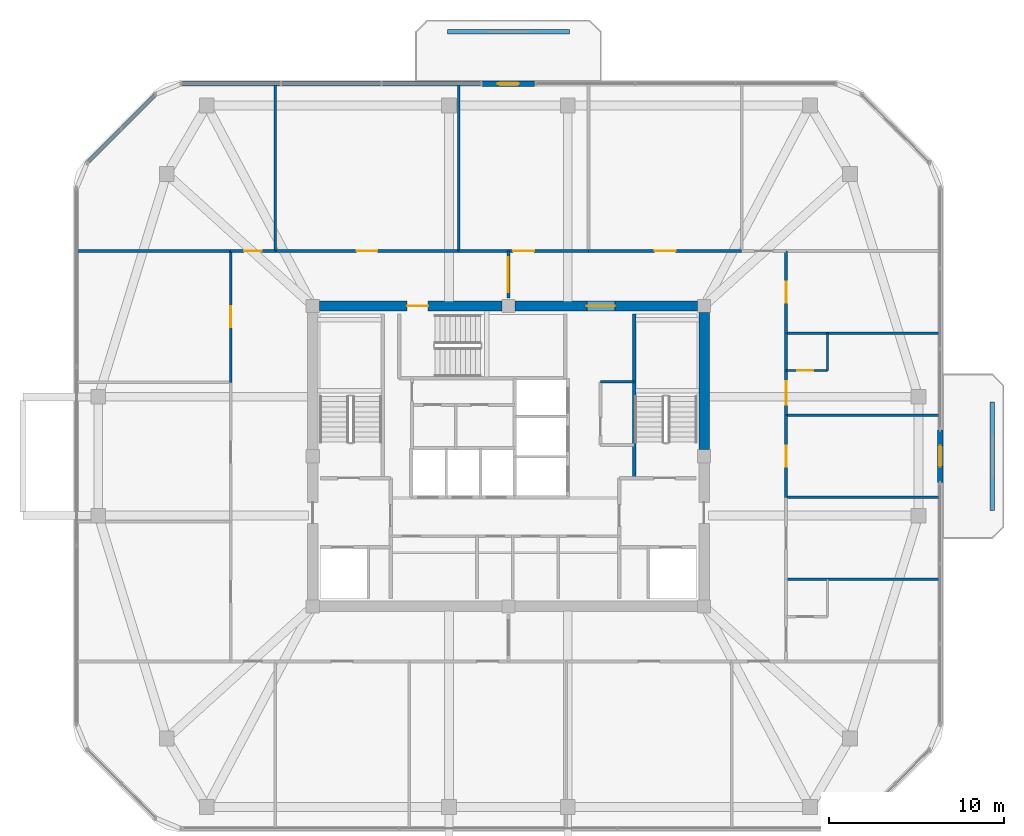
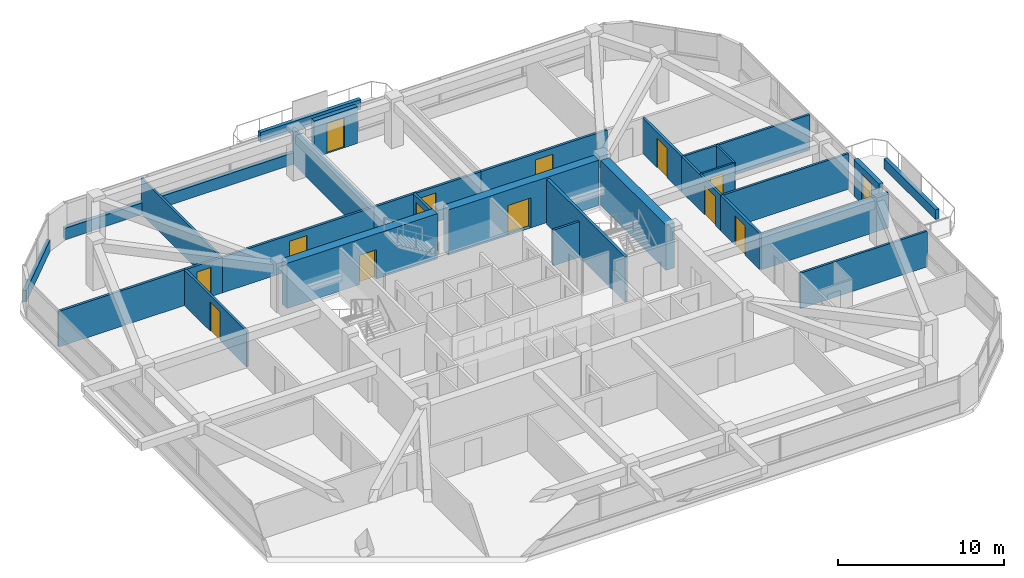
# One storey, part 11 of 14: 29 walls, 14 doors, 14 openings.
"""IFC4 building model written with IfcOpenShell, lengths in metres."""

from ifc_helpers import new_model, si_unit, derived_unit, direction, frame, frame_2d, origin, place, context, subcontext, project, spatial, rectangle, extrude, material, layer, layer_set, type_object, element, fill, save


model = new_model("IFC4")

# Units and contexts
model_context = context("Model", 3, precision=1e-05, world=origin(), true_north=direction((0.0, 1.0)))
body_context = subcontext(model_context, "Body", "Model", "MODEL_VIEW")
ifc_project = project(units=[si_unit("LENGTHUNIT", "METRE"), si_unit("AREAUNIT", "SQUARE_METRE"), si_unit("VOLUMEUNIT", "CUBIC_METRE"), si_unit("PLANEANGLEUNIT", "RADIAN"), si_unit("MASSUNIT", "GRAM", prefix="KILO"), derived_unit("THERMALTRANSMITTANCEUNIT", [(si_unit("POWERUNIT", "WATT"), 1), (si_unit("LENGTHUNIT", "METRE"), -2), (si_unit("THERMODYNAMICTEMPERATUREUNIT", "KELVIN"), -1)])], contexts=[model_context])

# Site, building, storey
site_placement = place(None, origin())
site = spatial("IfcSite", under=ifc_project, at=site_placement, CompositionType="ELEMENT")
building_placement = place(site_placement, origin())
building = spatial("IfcBuilding", under=site, at=building_placement, Name="Koralith Skygarden Medical Center", CompositionType="ELEMENT")
storey_placement = place(building_placement, frame((0.0, 0.0, 260.820068359375)))
storey = spatial("IfcBuildingStorey", under=building, at=storey_placement, Name="L67", CompositionType="ELEMENT", Elevation=260.820068359375)

# Walls
ifc_material_1 = material(Name="Gypsum Board Partition")
ifc_layer_1 = layer(ifc_material_1, 0.14990234375)
ifc_layer_set_1 = layer_set([ifc_layer_1], Name="Gypsum Board Partition")
wall_type_1 = type_object("IfcWallType", Name="Clinical Acoustic Partition 150", PredefinedType="PARTITIONING", material=ifc_layer_set_1)
wall_1_placement = place(storey_placement, frame((42.27001953125, 30.159912109375, 0.0), z_axis=(0.0, 0.0, 1.0), x_axis=(1.0, 0.0, 0.0)))
element("IfcWall", 1, at=wall_1_placement, inside=storey, type_object=wall_type_1, Name="L67 Clinical Acoustic Partition 150 W-CORE-L67-ESUB-N", PredefinedType="PARTITIONING", context=body_context, shape_type="SweptSolid", body=[
    extrude(rectangle(XDim=1.929931640625, YDim=0.14990234375, at=frame_2d((0.96484375, 0.0))), origin(), (0.0, 0.0, 1.0), 2.60986328125),
])
for number, where, z_axis, x_axis, name in (
    (2, (23.64990234375, 37.64990234375, 0.0), (0.0, 0.0, 1.0), (0.0, 1.0, 0.0), "L67 Clinical Acoustic Partition 150 W-PART-L67-N-01"),
    (3, (34.157958984375, 37.64990234375, 0.0), (0.0, 0.0, 1.0), (0.0, 1.0, 0.0), "L67 Clinical Acoustic Partition 150 W-PART-L67-N-02"),
):
    element("IfcWall", number, at=place(storey_placement, frame(where, z_axis=z_axis, x_axis=x_axis)), inside=storey, type_object=wall_type_1, Name=name, PredefinedType="PARTITIONING", context=body_context, shape_type="SweptSolid", body=[
        extrude(rectangle(XDim=9.550048828125, YDim=0.14990234375, at=frame_2d((4.77490234375, 0.0))), origin(), (0.0, 0.0, 1.0), 2.60986328125),
    ])
for number, where, z_axis, x_axis, name in (
    (4, (52.89990234375, 18.85009765625, 0.0), (0.0, 0.0, 1.0), (1.0, 0.0, 0.0), "L67 Clinical Acoustic Partition 150 W-PART-L67-E-01"),
    (5, (52.89990234375, 23.550048828125, 0.0), (0.0, 0.0, 1.0), (1.0, 0.0, 0.0), "L67 Clinical Acoustic Partition 150 W-PART-L67-E-02"),
    (6, (52.89990234375, 28.25, 0.0), (0.0, 0.0, 1.0), (1.0, 0.0, 0.0), "L67 Clinical Acoustic Partition 150 W-PART-L67-E-03"),
    (7, (52.89990234375, 32.949951171875, 0.0), (0.0, 0.0, 1.0), (1.0, 0.0, 0.0), "L67 Clinical Acoustic Partition 150 W-PART-L67-E-04"),
):
    element("IfcWall", number, at=place(storey_placement, frame(where, z_axis=z_axis, x_axis=x_axis)), inside=storey, type_object=wall_type_1, Name=name, PredefinedType="PARTITIONING", context=body_context, shape_type="SweptSolid", body=[
        extrude(rectangle(XDim=8.800048828125, YDim=0.14990234375, at=frame_2d((4.39990234375, 0.0))), origin(), (0.0, 0.0, 1.0), 2.60986328125),
    ])
ifc_layer_2 = layer(ifc_material_1, 0.1650390625)
ifc_layer_set_2 = layer_set([ifc_layer_2], Name="Gypsum Board Partition")
wall_type_2 = type_object("IfcWallType", Name="Clinical Corridor Partition 165", PredefinedType="PARTITIONING", material=ifc_layer_set_2)
wall_2_placement = place(storey_placement, frame((12.300048828125, 37.64990234375, 0.0), z_axis=(0.0, 0.0, 1.0), x_axis=(1.0, 0.0, 0.0)))
element("IfcWall", 8, at=wall_2_placement, inside=storey, type_object=wall_type_2, Name="L67 Clinical Corridor Partition 165 W-WB-L67-NW", PredefinedType="PARTITIONING", context=body_context, shape_type="SweptSolid", body=[
    extrude(rectangle(XDim=8.800048828125, YDim=0.1650390625, at=frame_2d((4.39990234375, 0.0))), origin(), (0.0, 0.0, 1.0), 2.60986328125),
])

# Wall, opening, door
wall_3_placement = place(storey_placement, frame((21.10009765625, 37.64990234375, 0.0), z_axis=(0.0, 0.0, 1.0), x_axis=(1.0, 0.0, 0.0)))
wall_3 = element("IfcWall", 9, at=wall_3_placement, inside=storey, type_object=wall_type_2, Name="L67 Clinical Corridor Partition 165 W-CORR-L67-N-01", PredefinedType="PARTITIONING", context=body_context, shape_type="SweptSolid", body=[
    extrude(rectangle(XDim=2.5498046875, YDim=0.1650390625, at=frame_2d((1.27490234375, 0.0))), origin(), (0.0, 0.0, 1.0), 2.60986328125),
])
opening_1_placement = place(wall_3_placement, frame((0.77490234375, 0.0, 0.0)))
opening_1 = element("IfcOpeningElement", 10, at=opening_1_placement, cuts=wall_3, Name="Opening D-SUP", PredefinedType="OPENING", context=body_context, shape_type="SweptSolid", body=[
    extrude(rectangle(XDim=1.0, YDim=2.14990234375, at=frame_2d((0.5, 1.074951171875))), frame((0.0, 0.092529296875, 0.0), z_axis=(0.0, -1.0, 0.0), x_axis=(1.0, 0.0, 0.0)), (0.0, 0.0, 1.0), 0.18505859375),
])
ifc_material_2 = material(Name="Aluminium 6063-T6", Category="aluminium")
door_type_1 = type_object("IfcDoorType", Name="Clinical Support Door D-SUP 1000", OperationType="NOTDEFINED", PredefinedType="DOOR", material=ifc_material_2)
door_1_placement = place(opening_1_placement, origin())
door_1 = element("IfcDoor", 11, at=door_1_placement, inside=storey, type_object=door_type_1, Name="L67 Infectious Disease Consult Office 01 Door", OperationType="SINGLE_SWING_RIGHT", OverallHeight=2.14990234375, OverallWidth=1.0, PredefinedType="DOOR", context=body_context, shape_type="SweptSolid", body=[
    extrude(rectangle(XDim=1.0, YDim=2.14990234375, at=frame_2d((0.5, 1.074951171875))), frame((0.0, 0.02490234375, 0.0), z_axis=(0.0, -1.0, 0.0), x_axis=(1.0, 0.0, 0.0)), (0.0, 0.0, 1.0), 0.050048828125),
])
fill(opening_1, door_1)

wall_4_placement = place(storey_placement, frame((23.64990234375, 37.64990234375, 0.0), z_axis=(0.0, 0.0, 1.0), x_axis=(1.0, 0.0, 0.0)))
wall_4 = element("IfcWall", 12, at=wall_4_placement, inside=storey, type_object=wall_type_2, Name="L67 Clinical Corridor Partition 165 W-CORR-L67-N-02", PredefinedType="PARTITIONING", context=body_context, shape_type="SweptSolid", body=[
    extrude(rectangle(XDim=10.508056640625, YDim=0.1650390625, at=frame_2d((5.25390625, 0.0))), origin(), (0.0, 0.0, 1.0), 2.60986328125),
])
opening_2_placement = place(wall_4_placement, frame((4.654052734375, 0.0, 0.0)))
opening_2 = element("IfcOpeningElement", 13, at=opening_2_placement, cuts=wall_4, Name="Opening D-CLN", PredefinedType="OPENING", context=body_context, shape_type="SweptSolid", body=[
    extrude(rectangle(XDim=1.199951171875, YDim=2.14990234375, at=frame_2d((0.60009765625, 1.074951171875))), frame((0.0, 0.092529296875, 0.0), z_axis=(0.0, -1.0, 0.0), x_axis=(1.0, 0.0, 0.0)), (0.0, 0.0, 1.0), 0.18505859375),
])
door_type_2 = type_object("IfcDoorType", Name="Clinical Corridor Door D-CLN 1200", OperationType="NOTDEFINED", PredefinedType="DOOR", material=ifc_material_2)
door_2_placement = place(opening_2_placement, origin())
door_2 = element("IfcDoor", 14, at=door_2_placement, inside=storey, type_object=door_type_2, Name="L67 PPE Isolation Supply Store 02 Door", OperationType="SINGLE_SWING_LEFT", OverallHeight=2.14990234375, OverallWidth=1.199951171875, PredefinedType="DOOR", context=body_context, shape_type="SweptSolid", body=[
    extrude(rectangle(XDim=1.199951171875, YDim=2.14990234375, at=frame_2d((0.60009765625, 1.074951171875))), frame((0.0, 0.02490234375, 0.0), z_axis=(0.0, -1.0, 0.0), x_axis=(1.0, 0.0, 0.0)), (0.0, 0.0, 1.0), 0.050048828125),
])
fill(opening_2, door_2)

wall_5_placement = place(storey_placement, frame((34.157958984375, 37.64990234375, 0.0), z_axis=(0.0, 0.0, 1.0), x_axis=(1.0, 0.0, 0.0)))
wall_5 = element("IfcWall", 15, at=wall_5_placement, inside=storey, type_object=wall_type_2, Name="L67 Clinical Corridor Partition 165 W-CORR-L67-N-03", PredefinedType="PARTITIONING", context=body_context, shape_type="SweptSolid", body=[
    extrude(rectangle(XDim=7.426025390625, YDim=0.1650390625, at=frame_2d((3.712890625, 0.0))), origin(), (0.0, 0.0, 1.0), 2.60986328125),
])
opening_3_placement = place(wall_5_placement, frame((3.113037109375, 0.0, 0.0)))
opening_3 = element("IfcOpeningElement", 16, at=opening_3_placement, cuts=wall_5, Name="Opening D-CLN", PredefinedType="OPENING", context=body_context, shape_type="SweptSolid", body=[
    extrude(rectangle(XDim=1.199951171875, YDim=2.14990234375, at=frame_2d((0.60009765625, 1.074951171875))), frame((0.0, 0.092529296875, 0.0), z_axis=(0.0, -1.0, 0.0), x_axis=(1.0, 0.0, 0.0)), (0.0, 0.0, 1.0), 0.18505859375),
])
door_3_placement = place(opening_3_placement, origin())
door_3 = element("IfcDoor", 17, at=door_3_placement, inside=storey, type_object=door_type_2, Name="L67 Patient and Family Sky-Garden Day Lounge 03 Door", OperationType="SINGLE_SWING_RIGHT", OverallHeight=2.14990234375, OverallWidth=1.199951171875, PredefinedType="DOOR", context=body_context, shape_type="SweptSolid", body=[
    extrude(rectangle(XDim=1.199951171875, YDim=2.14990234375, at=frame_2d((0.60009765625, 1.074951171875))), frame((0.0, 0.02490234375, 0.0), z_axis=(0.0, -1.0, 0.0), x_axis=(1.0, 0.0, 0.0)), (0.0, 0.0, 1.0), 0.050048828125),
])
fill(opening_3, door_3)

wall_6_placement = place(storey_placement, frame((41.583984375, 37.64990234375, 0.0), z_axis=(0.0, 0.0, 1.0), x_axis=(1.0, 0.0, 0.0)))
wall_6 = element("IfcWall", 18, at=wall_6_placement, inside=storey, type_object=wall_type_2, Name="L67 Clinical Corridor Partition 165 W-CORR-L67-N-04", PredefinedType="PARTITIONING", context=body_context, shape_type="SweptSolid", body=[
    extrude(rectangle(XDim=8.76611328125, YDim=0.1650390625, at=frame_2d((4.383056640625, 0.0))), origin(), (0.0, 0.0, 1.0), 2.60986328125),
])
opening_4_placement = place(wall_6_placement, frame((3.782958984375, 0.0, 0.0)))
opening_4 = element("IfcOpeningElement", 19, at=opening_4_placement, cuts=wall_6, Name="Opening D-CLN", PredefinedType="OPENING", context=body_context, shape_type="SweptSolid", body=[
    extrude(rectangle(XDim=1.199951171875, YDim=2.14990234375, at=frame_2d((0.60009765625, 1.074951171875))), frame((0.0, 0.092529296875, 0.0), z_axis=(0.0, -1.0, 0.0), x_axis=(1.0, 0.0, 0.0)), (0.0, 0.0, 1.0), 0.18505859375),
])
door_4_placement = place(opening_4_placement, origin())
door_4 = element("IfcDoor", 20, at=door_4_placement, inside=storey, type_object=door_type_2, Name="L67 Staff Hydration Pantry 04 Door", OperationType="SINGLE_SWING_LEFT", OverallHeight=2.14990234375, OverallWidth=1.199951171875, PredefinedType="DOOR", context=body_context, shape_type="SweptSolid", body=[
    extrude(rectangle(XDim=1.199951171875, YDim=2.14990234375, at=frame_2d((0.60009765625, 1.074951171875))), frame((0.0, 0.02490234375, 0.0), z_axis=(0.0, -1.0, 0.0), x_axis=(1.0, 0.0, 0.0)), (0.0, 0.0, 1.0), 0.050048828125),
])
fill(opening_4, door_4)

wall_7_placement = place(storey_placement, frame((21.10009765625, 30.1298828125, 0.0), z_axis=(0.0, 0.0, 1.0), x_axis=(0.0, 1.0, 0.0)))
wall_7 = element("IfcWall", 21, at=wall_7_placement, inside=storey, type_object=wall_type_2, Name="L67 Clinical Corridor Partition 165 W-CORR-L67-W-03", PredefinedType="PARTITIONING", context=body_context, shape_type="SweptSolid", body=[
    extrude(rectangle(XDim=7.52001953125, YDim=0.1650390625, at=frame_2d((3.760009765625, 0.0))), origin(), (0.0, 0.0, 1.0), 2.60986328125),
])
opening_5_placement = place(wall_7_placement, frame((3.159912109375, 0.0, 0.0)))
opening_5 = element("IfcOpeningElement", 22, at=opening_5_placement, cuts=wall_7, Name="Opening D-CLN", PredefinedType="OPENING", context=body_context, shape_type="SweptSolid", body=[
    extrude(rectangle(XDim=1.199951171875, YDim=2.14990234375, at=frame_2d((0.60009765625, 1.074951171875))), frame((0.0, 0.092529296875, 0.0), z_axis=(0.0, -1.0, 0.0), x_axis=(1.0, 0.0, 0.0)), (0.0, 0.0, 1.0), 0.18505859375),
])
door_5_placement = place(opening_5_placement, frame((1.199951171875, 0.0, 0.0), z_axis=(0.0, 0.0, 1.0), x_axis=(-1.0, 0.0, 0.0)))
door_5 = element("IfcDoor", 23, at=door_5_placement, inside=storey, type_object=door_type_2, Name="L67 Epidemiology Huddle Room 13 Door", OperationType="SINGLE_SWING_RIGHT", OverallHeight=2.14990234375, OverallWidth=1.199951171875, PredefinedType="DOOR", context=body_context, shape_type="SweptSolid", body=[
    extrude(rectangle(XDim=1.199951171875, YDim=2.14990234375, at=frame_2d((0.60009765625, 1.074951171875))), frame((0.0, 0.02490234375, 0.0), z_axis=(0.0, -1.0, 0.0), x_axis=(1.0, 0.0, 0.0)), (0.0, 0.0, 1.0), 0.050048828125),
])
fill(opening_5, door_5)

wall_8_placement = place(storey_placement, frame((52.89990234375, 23.550048828125, 0.0), z_axis=(0.0, 0.0, 1.0), x_axis=(0.0, 1.0, 0.0)))
wall_8 = element("IfcWall", 24, at=wall_8_placement, inside=storey, type_object=wall_type_2, Name="L67 Clinical Corridor Partition 165 W-CORR-L67-E-03", PredefinedType="PARTITIONING", context=body_context, shape_type="SweptSolid", body=[
    extrude(rectangle(XDim=4.699951171875, YDim=0.1650390625, at=frame_2d((2.35009765625, 0.0))), origin(), (0.0, 0.0, 1.0), 2.60986328125),
])
opening_6_placement = place(wall_8_placement, frame((1.75, 0.0, 0.0)))
opening_6 = element("IfcOpeningElement", 25, at=opening_6_placement, cuts=wall_8, Name="Opening D-CLN", PredefinedType="OPENING", context=body_context, shape_type="SweptSolid", body=[
    extrude(rectangle(XDim=1.199951171875, YDim=2.14990234375, at=frame_2d((0.60009765625, 1.074951171875))), frame((0.0, 0.092529296875, 0.0), z_axis=(0.0, -1.0, 0.0), x_axis=(1.0, 0.0, 0.0)), (0.0, 0.0, 1.0), 0.18505859375),
])
door_6_placement = place(opening_6_placement, origin())
door_6 = element("IfcDoor", 26, at=door_6_placement, inside=storey, type_object=door_type_2, Name="L67 Patient and Family Sky-Garden Day Lounge 16 Door", OperationType="SINGLE_SWING_LEFT", OverallHeight=2.14990234375, OverallWidth=1.199951171875, PredefinedType="DOOR", context=body_context, shape_type="SweptSolid", body=[
    extrude(rectangle(XDim=1.199951171875, YDim=2.14990234375, at=frame_2d((0.60009765625, 1.074951171875))), frame((0.0, 0.02490234375, 0.0), z_axis=(0.0, -1.0, 0.0), x_axis=(1.0, 0.0, 0.0)), (0.0, 0.0, 1.0), 0.050048828125),
])
fill(opening_6, door_6)

wall_9_placement = place(storey_placement, frame((52.89990234375, 28.25, 0.0), z_axis=(0.0, 0.0, 1.0), x_axis=(0.0, 1.0, 0.0)))
wall_9 = element("IfcWall", 27, at=wall_9_placement, inside=storey, type_object=wall_type_2, Name="L67 Clinical Corridor Partition 165 W-CORR-L67-E-04", PredefinedType="PARTITIONING", context=body_context, shape_type="SweptSolid", body=[
    extrude(rectangle(XDim=4.699951171875, YDim=0.1650390625, at=frame_2d((2.35009765625, 0.0))), origin(), (0.0, 0.0, 1.0), 2.60986328125),
])
opening_7_placement = place(wall_9_placement, frame((0.590087890625, 0.0, 0.0)))
opening_7 = element("IfcOpeningElement", 28, at=opening_7_placement, cuts=wall_9, Name="Opening D-BED", PredefinedType="OPENING", context=body_context, shape_type="SweptSolid", body=[
    extrude(rectangle(XDim=1.35009765625, YDim=2.14990234375, at=frame_2d((0.675048828125, 1.074951171875))), frame((0.0, 0.092529296875, 0.0), z_axis=(0.0, -1.0, 0.0), x_axis=(1.0, 0.0, 0.0)), (0.0, 0.0, 1.0), 0.18505859375),
])
door_type_3 = type_object("IfcDoorType", Name="Inpatient Bed Leaf Door D-BED 1350", OperationType="NOTDEFINED", PredefinedType="DOOR", material=ifc_material_2)
door_7_placement = place(opening_7_placement, origin())
door_7 = element("IfcDoor", 29, at=door_7_placement, inside=storey, type_object=door_type_3, Name="L67 Inpatient Bedroom 17 Door", OperationType="SINGLE_SWING_RIGHT", OverallHeight=2.14990234375, OverallWidth=1.35009765625, PredefinedType="DOOR", context=body_context, shape_type="SweptSolid", body=[
    extrude(rectangle(XDim=1.35009765625, YDim=2.14990234375, at=frame_2d((0.675048828125, 1.074951171875))), frame((0.0, 0.02490234375, 0.0), z_axis=(0.0, -1.0, 0.0), x_axis=(1.0, 0.0, 0.0)), (0.0, 0.0, 1.0), 0.050048828125),
])
fill(opening_7, door_7)

wall_10_placement = place(storey_placement, frame((52.89990234375, 32.949951171875, 0.0), z_axis=(0.0, 0.0, 1.0), x_axis=(0.0, 1.0, 0.0)))
wall_10 = element("IfcWall", 30, at=wall_10_placement, inside=storey, type_object=wall_type_2, Name="L67 Clinical Corridor Partition 165 W-CORR-L67-E-05", PredefinedType="PARTITIONING", context=body_context, shape_type="SweptSolid", body=[
    extrude(rectangle(XDim=4.699951171875, YDim=0.1650390625, at=frame_2d((2.35009765625, 0.0))), origin(), (0.0, 0.0, 1.0), 2.60986328125),
])
opening_8_placement = place(wall_10_placement, frame((1.75, 0.0, 0.0)))
opening_8 = element("IfcOpeningElement", 31, at=opening_8_placement, cuts=wall_10, Name="Opening D-CLN", PredefinedType="OPENING", context=body_context, shape_type="SweptSolid", body=[
    extrude(rectangle(XDim=1.199951171875, YDim=2.14990234375, at=frame_2d((0.60009765625, 1.074951171875))), frame((0.0, 0.092529296875, 0.0), z_axis=(0.0, -1.0, 0.0), x_axis=(1.0, 0.0, 0.0)), (0.0, 0.0, 1.0), 0.18505859375),
])
door_8_placement = place(opening_8_placement, origin())
door_8 = element("IfcDoor", 32, at=door_8_placement, inside=storey, type_object=door_type_2, Name="L67 PPE Isolation Supply Store 18 Door", OperationType="SINGLE_SWING_LEFT", OverallHeight=2.14990234375, OverallWidth=1.199951171875, PredefinedType="DOOR", context=body_context, shape_type="SweptSolid", body=[
    extrude(rectangle(XDim=1.199951171875, YDim=2.14990234375, at=frame_2d((0.60009765625, 1.074951171875))), frame((0.0, 0.02490234375, 0.0), z_axis=(0.0, -1.0, 0.0), x_axis=(1.0, 0.0, 0.0)), (0.0, 0.0, 1.0), 0.050048828125),
])
fill(opening_8, door_8)

ifc_layer_3 = layer(ifc_material_1, 0.179931640625)
ifc_layer_set_3 = layer_set([ifc_layer_3], Name="Gypsum Board Partition")
wall_type_3 = type_object("IfcWallType", Name="Group I-2 Smoke Barrier Wall 180", PredefinedType="PARTITIONING", material=ifc_layer_set_3)
wall_11_placement = place(storey_placement, frame((37.0, 34.949951171875, 0.0), z_axis=(0.0, 0.0, 1.0), x_axis=(0.0, 1.0, 0.0)))
wall_11 = element("IfcWall", 33, at=wall_11_placement, inside=storey, type_object=wall_type_3, Name="L67 Group I-2 Smoke Barrier Wall 180 W-SMK-L67-N", PredefinedType="PARTITIONING", context=body_context, shape_type="SweptSolid", body=[
    extrude(rectangle(XDim=2.699951171875, YDim=0.179931640625, at=frame_2d((1.35009765625, 0.0))), origin(), (0.0, 0.0, 1.0), 2.60986328125),
])
opening_9_placement = place(wall_11_placement, frame((0.35009765625, 0.0, 0.0)))
opening_9 = element("IfcOpeningElement", 34, at=opening_9_placement, cuts=wall_11, Name="Opening D-SMK", PredefinedType="OPENING", context=body_context, shape_type="SweptSolid", body=[
    extrude(rectangle(XDim=2.0, YDim=2.199951171875, at=frame_2d((1.0, 1.10009765625))), frame((0.0, 0.099853515625, 0.0), z_axis=(0.0, -1.0, 0.0), x_axis=(1.0, 0.0, 0.0)), (0.0, 0.0, 1.0), 0.199951171875),
])
ifc_material_3 = material(Name="Steel ASTM A500 Grade C", Category="steel")
door_type_4 = type_object("IfcDoorType", Name="Cross-Corridor Double Smoke Door FD60S 2000", OperationType="NOTDEFINED", PredefinedType="DOOR", material=ifc_material_3)
door_9_placement = place(opening_9_placement, origin())
door_9 = element("IfcDoor", 35, at=door_9_placement, inside=storey, type_object=door_type_4, Name="L67 N Smoke Compartment Cross-Corridor Door", OperationType="DOUBLE_DOOR_SINGLE_SWING", OverallHeight=2.199951171875, OverallWidth=2.0, PredefinedType="DOOR", context=body_context, shape_type="SweptSolid", body=[
    extrude(rectangle(XDim=2.0, YDim=2.199951171875, at=frame_2d((1.0, 1.10009765625))), frame((0.0, 0.02490234375, 0.0), z_axis=(0.0, -1.0, 0.0), x_axis=(1.0, 0.0, 0.0)), (0.0, 0.0, 1.0), 0.050048828125),
])
fill(opening_9, door_9)

# Walls
ifc_material_4 = material(Name="Warm Oolitic Limestone Cladding", Category="masonry")
ifc_layer_4 = layer(ifc_material_4, 0.239990234375)
ifc_layer_set_4 = layer_set([ifc_layer_4], Name="Warm Oolitic Limestone Cladding")
wall_type_4 = type_object("IfcWallType", Name="Limestone Spandrel Sill Backup Wall 240", PredefinedType="SOLIDWALL", material=ifc_layer_set_4)
wall_12_placement = place(storey_placement, frame((35.4609375, 47.219970703125, 0.0), z_axis=(0.0, 0.0, 1.0), x_axis=(-1.0, 0.0, 0.0)))
element("IfcWall", 36, at=wall_12_placement, inside=storey, type_object=wall_type_4, Name="L67 Sill Spandrel N-R", PredefinedType="SOLIDWALL", context=body_context, shape_type="SweptSolid", body=[
    extrude(rectangle(XDim=17.2060546875, YDim=0.239990234375, at=frame_2d((8.60302734375, 0.0))), origin(), (0.0, 0.0, 1.0), 0.849853515625),
])
wall_13_placement = place(storey_placement, frame((16.803955078125, 46.618896484375, 0.0), z_axis=(0.0, 0.0, 1.0), x_axis=(-0.707106781187, -0.707106781187, 0.0)))
element("IfcWall", 37, at=wall_13_placement, inside=storey, type_object=wall_type_4, Name="L67 Sill Spandrel NW", PredefinedType="SOLIDWALL", context=body_context, shape_type="SweptSolid", body=[
    extrude(rectangle(XDim=5.5478515625, YDim=0.239990234375, at=frame_2d((2.77392578125, 0.0))), origin(), (0.0, 0.0, 1.0), 0.849853515625),
])

# Wall, opening, door
ifc_layer_5 = layer(ifc_material_4, 0.300048828125)
ifc_layer_set_5 = layer_set([ifc_layer_5], Name="Warm Oolitic Limestone Cladding")
wall_type_5 = type_object("IfcWallType", Name="Oolitic Limestone Insulated Facade Wall 300", PredefinedType="SOLIDWALL", material=ifc_layer_set_5)
wall_14_placement = place(storey_placement, frame((61.719970703125, 24.39990234375, 0.0), z_axis=(0.0, 0.0, 1.0), x_axis=(0.0, 1.0, 0.0)))
wall_14 = element("IfcWall", 38, at=wall_14_placement, inside=storey, type_object=wall_type_5, Name="L67 Terrace Portal Wall E", PredefinedType="SOLIDWALL", context=body_context, shape_type="SweptSolid", body=[
    extrude(rectangle(XDim=3.0, YDim=0.300048828125, at=frame_2d((1.5, 0.0))), origin(), (0.0, 0.0, 1.0), 2.68994140625),
])
opening_10_placement = place(wall_14_placement, frame((0.89990234375, 0.0, 0.0)))
opening_10 = element("IfcOpeningElement", 39, at=opening_10_placement, cuts=wall_14, Name="Opening D-BAL", PredefinedType="OPENING", context=body_context, shape_type="SweptSolid", body=[
    extrude(rectangle(XDim=1.199951171875, YDim=2.199951171875, at=frame_2d((0.60009765625, 1.10009765625))), frame((0.0, 0.159912109375, 0.0), z_axis=(0.0, -1.0, 0.0), x_axis=(1.0, 0.0, 0.0)), (0.0, 0.0, 1.0), 0.320068359375),
])
door_type_5 = type_object("IfcDoorType", Name="Planted Balcony Glazed Terrace Door D-BAL 1200", OperationType="NOTDEFINED", PredefinedType="DOOR", material=ifc_material_2)
door_10_placement = place(opening_10_placement, origin())
door_10 = element("IfcDoor", 40, at=door_10_placement, inside=storey, type_object=door_type_5, Name="L67 E Outdoor Terrace Access Door", OperationType="SINGLE_SWING_RIGHT", OverallHeight=2.199951171875, OverallWidth=1.199951171875, PredefinedType="DOOR", context=body_context, shape_type="SweptSolid", body=[
    extrude(rectangle(XDim=1.199951171875, YDim=2.199951171875, at=frame_2d((0.60009765625, 1.10009765625))), frame((0.0, 0.02490234375, 0.0), z_axis=(0.0, -1.0, 0.0), x_axis=(1.0, 0.0, 0.0)), (0.0, 0.0, 1.0), 0.050048828125),
])
fill(opening_10, door_10)

wall_15_placement = place(storey_placement, frame((38.5009765625, 47.219970703125, 0.0), z_axis=(0.0, 0.0, 1.0), x_axis=(-1.0, 0.0, 0.0)))
wall_15 = element("IfcWall", 41, at=wall_15_placement, inside=storey, type_object=wall_type_5, Name="L67 Terrace Portal Wall N", PredefinedType="SOLIDWALL", context=body_context, shape_type="SweptSolid", body=[
    extrude(rectangle(XDim=3.0, YDim=0.300048828125, at=frame_2d((1.5, 0.0))), origin(), (0.0, 0.0, 1.0), 2.68994140625),
])
opening_11_placement = place(wall_15_placement, frame((0.89990234375, 0.0, 0.0)))
opening_11 = element("IfcOpeningElement", 42, at=opening_11_placement, cuts=wall_15, Name="Opening D-BAL", PredefinedType="OPENING", context=body_context, shape_type="SweptSolid", body=[
    extrude(rectangle(XDim=1.199951171875, YDim=2.199951171875, at=frame_2d((0.60009765625, 1.10009765625))), frame((0.0, 0.159912109375, 0.0), z_axis=(0.0, -1.0, 0.0), x_axis=(1.0, 0.0, 0.0)), (0.0, 0.0, 1.0), 0.320068359375),
])
door_11_placement = place(opening_11_placement, origin())
door_11 = element("IfcDoor", 43, at=door_11_placement, inside=storey, type_object=door_type_5, Name="L67 N Outdoor Terrace Access Door", OperationType="SINGLE_SWING_RIGHT", OverallHeight=2.199951171875, OverallWidth=1.199951171875, PredefinedType="DOOR", context=body_context, shape_type="SweptSolid", body=[
    extrude(rectangle(XDim=1.199951171875, YDim=2.199951171875, at=frame_2d((0.60009765625, 1.10009765625))), frame((0.0, 0.02490234375, 0.0), z_axis=(0.0, -1.0, 0.0), x_axis=(1.0, 0.0, 0.0)), (0.0, 0.0, 1.0), 0.050048828125),
])
fill(opening_11, door_11)

ifc_layer_6 = layer(ifc_material_1, 0.1201171875)
ifc_layer_set_6 = layer_set([ifc_layer_6], Name="Gypsum Board Partition")
wall_type_6 = type_object("IfcWallType", Name="Plumbing Wet Wall 120", PredefinedType="PLUMBINGWALL", material=ifc_layer_set_6)
wall_16_placement = place(storey_placement, frame((52.89990234375, 30.81005859375, 0.0), z_axis=(0.0, 0.0, 1.0), x_axis=(1.0, 0.0, 0.0)))
wall_16 = element("IfcWall", 44, at=wall_16_placement, inside=storey, type_object=wall_type_6, Name="L67 Plumbing Wet Wall 120 W-ENS-L67-17A", PredefinedType="PLUMBINGWALL", context=body_context, shape_type="SweptSolid", body=[
    extrude(rectangle(XDim=2.360107421875, YDim=0.1201171875, at=frame_2d((1.18017578125, 0.0))), origin(), (0.0, 0.0, 1.0), 2.60986328125),
])
opening_12_placement = place(wall_16_placement, frame((0.64990234375, 0.0, 0.0)))
opening_12 = element("IfcOpeningElement", 45, at=opening_12_placement, cuts=wall_16, Name="Opening D-ENS", PredefinedType="OPENING", context=body_context, shape_type="SweptSolid", body=[
    extrude(rectangle(XDim=0.89990234375, YDim=2.10009765625, at=frame_2d((0.449951171875, 1.050048828125))), frame((0.0, 0.070068359375, 0.0), z_axis=(0.0, -1.0, 0.0), x_axis=(1.0, 0.0, 0.0)), (0.0, 0.0, 1.0), 0.14013671875),
])
door_type_6 = type_object("IfcDoorType", Name="En-Suite Bathroom Door D-ENS 900", OperationType="NOTDEFINED", PredefinedType="DOOR", material=ifc_material_2)
door_12_placement = place(opening_12_placement, frame((0.89990234375, 0.0, 0.0), z_axis=(0.0, 0.0, 1.0), x_axis=(-1.0, 0.0, 0.0)))
door_12 = element("IfcDoor", 46, at=door_12_placement, inside=storey, type_object=door_type_6, Name="L67 En-Suite 17 Door", OperationType="SINGLE_SWING_RIGHT", OverallHeight=2.10009765625, OverallWidth=0.89990234375, PredefinedType="DOOR", context=body_context, shape_type="SweptSolid", body=[
    extrude(rectangle(XDim=0.89990234375, YDim=2.10009765625, at=frame_2d((0.449951171875, 1.050048828125))), frame((0.0, 0.02490234375, 0.0), z_axis=(0.0, -1.0, 0.0), x_axis=(1.0, 0.0, 0.0)), (0.0, 0.0, 1.0), 0.050048828125),
])
fill(opening_12, door_12)

# Walls
wall_17_placement = place(storey_placement, frame((55.260009765625, 30.81005859375, 0.0), z_axis=(0.0, 0.0, 1.0), x_axis=(0.0, 1.0, 0.0)))
element("IfcWall", 47, at=wall_17_placement, inside=storey, type_object=wall_type_6, Name="L67 Plumbing Wet Wall 120 W-ENS-L67-17B", PredefinedType="PLUMBINGWALL", context=body_context, shape_type="SweptSolid", body=[
    extrude(rectangle(XDim=2.139892578125, YDim=0.1201171875, at=frame_2d((1.06982421875, 0.0))), origin(), (0.0, 0.0, 1.0), 2.60986328125),
])
ifc_material_5 = material(Name="Precast concrete C40/50", Category="concrete")
ifc_layer_7 = layer(ifc_material_5, 0.25)
ifc_layer_set_7 = layer_set([ifc_layer_7], Name="Precast concrete C40/50")
wall_type_7 = type_object("IfcWallType", Name="Structural Concrete Balcony Planter Kerb 250", PredefinedType="PARAPET", material=ifc_layer_set_7)
wall_18_placement = place(storey_placement, frame((33.5, 50.199951171875, 0.0), z_axis=(0.0, 0.0, 1.0), x_axis=(1.0, 0.0, 0.0)))
element("IfcWall", 48, at=wall_18_placement, inside=storey, type_object=wall_type_7, Name="L67 N Structural Tree PLANTER Box", PredefinedType="PARAPET", context=body_context, shape_type="SweptSolid", body=[
    extrude(rectangle(XDim=7.0, YDim=0.25, at=frame_2d((3.5, 0.0))), origin(), (0.0, 0.0, 1.0), 0.719970703125),
])
wall_19_placement = place(storey_placement, frame((64.699951171875, 22.800048828125, 0.0), z_axis=(0.0, 0.0, 1.0), x_axis=(0.0, 1.0, 0.0)))
element("IfcWall", 49, at=wall_19_placement, inside=storey, type_object=wall_type_7, Name="L67 E Structural Tree PLANTER Box", PredefinedType="PARAPET", context=body_context, shape_type="SweptSolid", body=[
    extrude(rectangle(XDim=6.199951171875, YDim=0.25, at=frame_2d((3.10009765625, 0.0))), origin(), (0.0, 0.0, 1.0), 0.719970703125),
])
ifc_material_6 = material(Name="Concrete C45/55", Category="concrete")
ifc_layer_8 = layer(ifc_material_6, 0.199951171875)
ifc_layer_set_8 = layer_set([ifc_layer_8], Name="Concrete C45/55")
wall_type_8 = type_object("IfcWallType", Name="Structural Stair Shaft Wall 200", PredefinedType="SHEAR", material=ifc_layer_set_8)
wall_20_placement = place(storey_placement, frame((44.199951171875, 24.64990234375, 0.0), z_axis=(0.0, 0.0, 1.0), x_axis=(0.0, 1.0, 0.0)))
element("IfcWall", 50, at=wall_20_placement, inside=storey, type_object=wall_type_8, Name="L67 Structural Stair Shaft Wall 200 W-CORE-L67-ST2-W", PredefinedType="SHEAR", context=body_context, shape_type="SweptSolid", body=[
    extrude(rectangle(XDim=9.400146484375, YDim=0.199951171875, at=frame_2d((4.7001953125, 0.0))), origin(), (0.0, 0.0, 1.0), 3.31982421875),
])
ifc_material_7 = material(Name="Concrete C55/67", Category="concrete")
ifc_layer_9 = layer(ifc_material_7, 0.60009765625)
ifc_layer_set_9 = layer_set([ifc_layer_9], Name="Concrete C55/67")
wall_type_9 = type_object("IfcWallType", Name="Upper Core Shear Wall 600", PredefinedType="SHEAR", material=ifc_layer_set_9)
wall_21_placement = place(storey_placement, frame((48.199951171875, 26.27490234375, 0.0), z_axis=(0.0, 0.0, 1.0), x_axis=(0.0, 1.0, 0.0)))
element("IfcWall", 51, at=wall_21_placement, inside=storey, type_object=wall_type_9, Name="L67 Core Shear Wall Segment 4", PredefinedType="SHEAR", context=body_context, shape_type="SweptSolid", body=[
    extrude(rectangle(XDim=7.85009765625, YDim=0.60009765625, at=frame_2d((3.925048828125, 0.0))), origin(), (0.0, 0.0, 1.0), 3.31982421875),
])

# Wall, opening, door
wall_22_placement = place(storey_placement, frame((47.824951171875, 34.5, 0.0), z_axis=(0.0, 0.0, 1.0), x_axis=(-1.0, 0.0, 0.0)))
wall_22 = element("IfcWall", 52, at=wall_22_placement, inside=storey, type_object=wall_type_9, Name="L67 Core Shear Wall Segment 5", PredefinedType="SHEAR", context=body_context, shape_type="SweptSolid", body=[
    extrude(rectangle(XDim=10.449951171875, YDim=0.60009765625, at=frame_2d((5.22509765625, 0.0))), origin(), (0.0, 0.0, 1.0), 3.31982421875),
])
opening_13_placement = place(wall_22_placement, frame((4.72509765625, 0.0, 0.0)))
opening_13 = element("IfcOpeningElement", 53, at=opening_13_placement, cuts=wall_22, Name="Opening D-DBL", PredefinedType="OPENING", context=body_context, shape_type="SweptSolid", body=[
    extrude(rectangle(XDim=1.60009765625, YDim=2.199951171875, at=frame_2d((0.800048828125, 1.10009765625))), frame((0.0, 0.31005859375, 0.0), z_axis=(0.0, -1.0, 0.0), x_axis=(1.0, 0.0, 0.0)), (0.0, 0.0, 1.0), 0.6201171875),
])
door_type_7 = type_object("IfcDoorType", Name="Double Clinical Suite Door D-DBL 1600", OperationType="NOTDEFINED", PredefinedType="DOOR", material=ifc_material_2)
door_13_placement = place(opening_13_placement, frame((1.60009765625, 0.0, 0.0), z_axis=(0.0, 0.0, 1.0), x_axis=(-1.0, 0.0, 0.0)))
door_13 = element("IfcDoor", 54, at=door_13_placement, inside=storey, type_object=door_type_7, Name="L67 North-East Corridor to Elevator Lobby Door", OperationType="DOUBLE_DOOR_SINGLE_SWING", OverallHeight=2.199951171875, OverallWidth=1.60009765625, PredefinedType="DOOR", context=body_context, shape_type="SweptSolid", body=[
    extrude(rectangle(XDim=1.60009765625, YDim=2.199951171875, at=frame_2d((0.800048828125, 1.10009765625))), frame((0.0, 0.02490234375, 0.0), z_axis=(0.0, -1.0, 0.0), x_axis=(1.0, 0.0, 0.0)), (0.0, 0.0, 1.0), 0.050048828125),
])
fill(opening_13, door_13)

wall_23_placement = place(storey_placement, frame((36.625, 34.5, 0.0), z_axis=(0.0, 0.0, 1.0), x_axis=(-1.0, 0.0, 0.0)))
wall_23 = element("IfcWall", 55, at=wall_23_placement, inside=storey, type_object=wall_type_9, Name="L67 Core Shear Wall Segment 6", PredefinedType="SHEAR", context=body_context, shape_type="SweptSolid", body=[
    extrude(rectangle(XDim=10.449951171875, YDim=0.60009765625, at=frame_2d((5.22509765625, 0.0))), origin(), (0.0, 0.0, 1.0), 3.31982421875),
])
opening_14_placement = place(wall_23_placement, frame((4.22509765625, 0.0, 0.0)))
opening_14 = element("IfcOpeningElement", 56, at=opening_14_placement, cuts=wall_23, Name="Opening D-ST60", PredefinedType="OPENING", context=body_context, shape_type="SweptSolid", body=[
    extrude(rectangle(XDim=1.199951171875, YDim=2.14990234375, at=frame_2d((0.60009765625, 1.074951171875))), frame((0.0, 0.31005859375, 0.0), z_axis=(0.0, -1.0, 0.0), x_axis=(1.0, 0.0, 0.0)), (0.0, 0.0, 1.0), 0.6201171875),
])
door_type_8 = type_object("IfcDoorType", Name="Smokeproof Stair Fire Door FD60S 1200", OperationType="NOTDEFINED", PredefinedType="DOOR", material=ifc_material_3)
door_14_placement = place(opening_14_placement, frame((1.199951171875, 0.0, 0.0), z_axis=(0.0, 0.0, 1.0), x_axis=(-1.0, 0.0, 0.0)))
door_14 = element("IfcDoor", 57, at=door_14_placement, inside=storey, type_object=door_type_8, Name="L67 Exit Stair ST3 Fire Door", OperationType="SINGLE_SWING_LEFT", OverallHeight=2.14990234375, OverallWidth=1.199951171875, PredefinedType="DOOR", context=body_context, shape_type="SweptSolid", body=[
    extrude(rectangle(XDim=1.199951171875, YDim=2.14990234375, at=frame_2d((0.60009765625, 1.074951171875))), frame((0.0, 0.02490234375, 0.0), z_axis=(0.0, -1.0, 0.0), x_axis=(1.0, 0.0, 0.0)), (0.0, 0.0, 1.0), 0.050048828125),
])
fill(opening_14, door_14)

save(model, "model.ifc")
